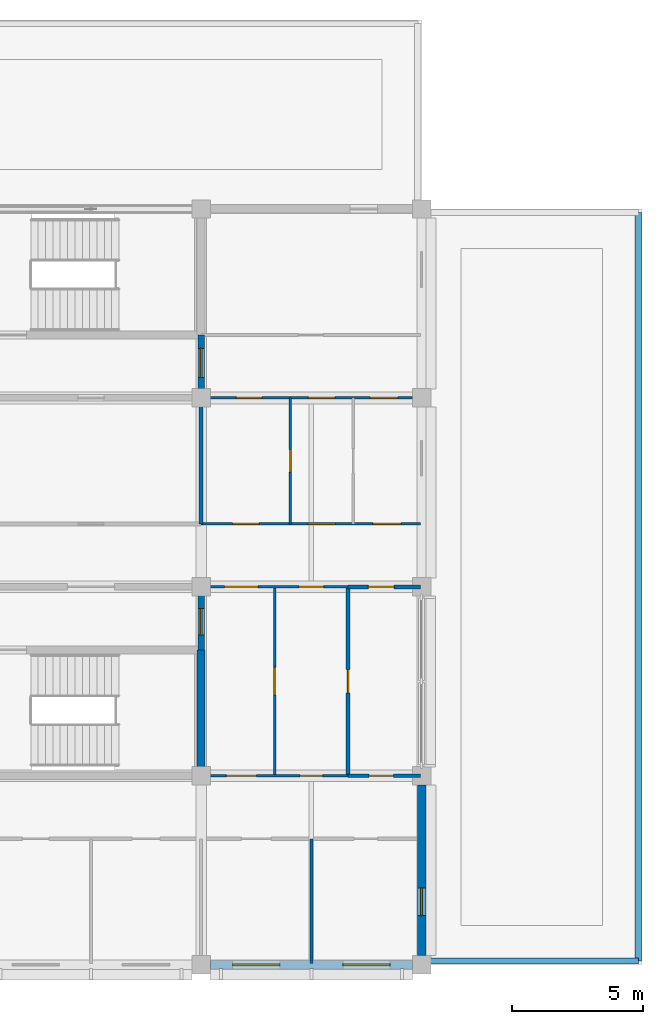
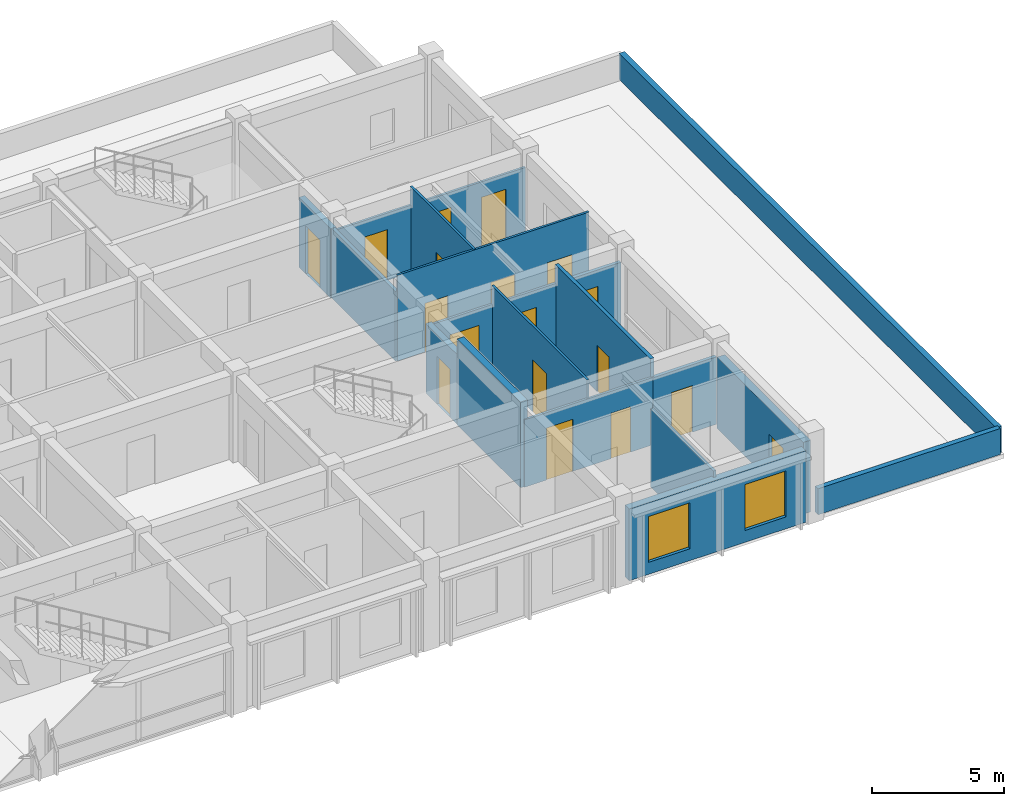
# One storey, part 15 of 19: 18 walls, 17 doors, 3 windows, 20 openings.
"""IFC4 building model written with IfcOpenShell, lengths in metres."""

from ifc_helpers import new_model, si_unit, direction, frame, frame_2d, origin, place, context, subcontext, project, spatial, rectangle, extrude, material, layer, layer_set, type_object, element, fill, save


model = new_model("IFC4")

# Units and contexts
model_context = context("Model", 3, precision=1e-05, world=origin(), true_north=direction((0.0, 1.0)))
body_context = subcontext(model_context, "Body", "Model", "MODEL_VIEW")
ifc_project = project(units=[si_unit("LENGTHUNIT", "METRE"), si_unit("AREAUNIT", "SQUARE_METRE"), si_unit("VOLUMEUNIT", "CUBIC_METRE"), si_unit("PLANEANGLEUNIT", "RADIAN"), si_unit("MASSUNIT", "GRAM", prefix="KILO")], contexts=[model_context])

# Site, building, storey
site_placement = place(None, origin())
site = spatial("IfcSite", under=ifc_project, at=site_placement, CompositionType="ELEMENT")
building_placement = place(site_placement, origin())
building = spatial("IfcBuilding", under=site, at=building_placement, Name="Chengyuan Square Courthouse", CompositionType="ELEMENT")
storey_placement = place(building_placement, frame((0.0, 0.0, 47.699951171875)))
storey = spatial("IfcBuildingStorey", under=building, at=storey_placement, Name="L11", CompositionType="ELEMENT", Elevation=47.699951171875)

# Wall, openings, windows
ifc_material_1 = material(Name="Concrete C40", Category="concrete")
ifc_layer_1 = layer(ifc_material_1, 0.320068359375)
ifc_layer_set_1 = layer_set([ifc_layer_1], Name="Concrete C40")
wall_type_1 = type_object("IfcWallType", Name="WL-EW3", PredefinedType="STANDARD", material=ifc_layer_set_1)
wall_1_placement = place(storey_placement, frame((109.544921875, 79.199951171875, 0.0), z_axis=(0.0, 0.0, 1.0), x_axis=(1.0, 0.0, 0.0)))
wall_1 = element("IfcWall", 1, at=wall_1_placement, inside=storey, type_object=wall_type_1, Name="Exterior Wall WL-L11-E461", PredefinedType="STANDARD", context=body_context, shape_type="SweptSolid", body=[
    extrude(rectangle(XDim=7.7099609375, YDim=0.320068359375, at=frame_2d((3.85498046875, 0.0))), origin(), (0.0, 0.0, 1.0), 3.31005859375),
])
opening_1_placement = place(wall_1_placement, frame((0.85498046875, 0.0, 0.550048828125)))
opening_1 = element("IfcOpeningElement", 2, at=opening_1_placement, cuts=wall_1, Name="Opening WN-192", PredefinedType="OPENING", context=body_context, shape_type="SweptSolid", body=[
    extrude(rectangle(XDim=1.800048828125, YDim=2.1201171875, at=frame_2d((0.89990234375, 1.06005859375))), frame((0.0, 0.172119140625, 0.0), z_axis=(0.0, -1.0, 0.0), x_axis=(1.0, 0.0, 0.0)), (0.0, 0.0, 1.0), 0.343994140625),
])
opening_2_placement = place(wall_1_placement, frame((5.054931640625, 0.0, 0.550048828125)))
opening_2 = element("IfcOpeningElement", 3, at=opening_2_placement, cuts=wall_1, Name="Opening WN-193", PredefinedType="OPENING", context=body_context, shape_type="SweptSolid", body=[
    extrude(rectangle(XDim=1.800048828125, YDim=2.1201171875, at=frame_2d((0.89990234375, 1.06005859375))), frame((0.0, 0.172119140625, 0.0), z_axis=(0.0, -1.0, 0.0), x_axis=(1.0, 0.0, 0.0)), (0.0, 0.0, 1.0), 0.343994140625),
])
ifc_material_2 = material(Name="Thermally Broken Aluminium Triple Low-E Window", Category="aluminium")
window_type_1 = type_object("IfcWindowType", Name="WT-36", PartitioningType="SINGLE_PANEL", PredefinedType="WINDOW", material=ifc_material_2)
window_1_placement = place(opening_1_placement, origin())
window_1 = element("IfcWindow", 4, at=window_1_placement, inside=storey, type_object=window_type_1, Name="Facade Window WN-192", OverallHeight=2.1201171875, OverallWidth=1.800048828125, PartitioningType="SINGLE_PANEL", PredefinedType="WINDOW", context=body_context, shape_type="SweptSolid", body=[
    extrude(rectangle(XDim=1.800048828125, YDim=2.1201171875, at=frame_2d((0.89990234375, 1.06005859375))), frame((0.0, 0.030029296875, 0.0), z_axis=(0.0, -1.0, 0.0), x_axis=(1.0, 0.0, 0.0)), (0.0, 0.0, 1.0), 0.06005859375),
])
fill(opening_1, window_1)
window_2_placement = place(opening_2_placement, origin())
window_2 = element("IfcWindow", 5, at=window_2_placement, inside=storey, type_object=window_type_1, Name="Facade Window WN-193", OverallHeight=2.1201171875, OverallWidth=1.800048828125, PartitioningType="SINGLE_PANEL", PredefinedType="WINDOW", context=body_context, shape_type="SweptSolid", body=[
    extrude(rectangle(XDim=1.800048828125, YDim=2.1201171875, at=frame_2d((0.89990234375, 1.06005859375))), frame((0.0, 0.030029296875, 0.0), z_axis=(0.0, -1.0, 0.0), x_axis=(1.0, 0.0, 0.0)), (0.0, 0.0, 1.0), 0.06005859375),
])
fill(opening_2, window_2)

# Wall, opening, window
wall_2_placement = place(storey_placement, frame((117.60009765625, 79.544921875, 0.0), z_axis=(0.0, 0.0, 1.0), x_axis=(0.0, 1.0, 0.0)))
wall_2 = element("IfcWall", 6, at=wall_2_placement, inside=storey, type_object=wall_type_1, Name="Exterior Wall WL-L11-E462", PredefinedType="STANDARD", context=body_context, shape_type="SweptSolid", body=[
    extrude(rectangle(XDim=6.510009765625, YDim=0.320068359375, at=frame_2d((3.2548828125, 0.0))), origin(), (0.0, 0.0, 1.0), 3.31005859375),
])
opening_3_placement = place(wall_2_placement, frame((1.530029296875, 0.0, 0.550048828125)))
opening_3 = element("IfcOpeningElement", 7, at=opening_3_placement, cuts=wall_2, Name="Opening WN-194", PredefinedType="OPENING", context=body_context, shape_type="SweptSolid", body=[
    extrude(rectangle(XDim=1.050048828125, YDim=1.56005859375, at=frame_2d((0.52490234375, 0.780029296875))), frame((0.0, 0.172119140625, 0.0), z_axis=(0.0, -1.0, 0.0), x_axis=(1.0, 0.0, 0.0)), (0.0, 0.0, 1.0), 0.343994140625),
])
window_type_2 = type_object("IfcWindowType", Name="WT-09", PartitioningType="SINGLE_PANEL", PredefinedType="WINDOW", material=ifc_material_2)
window_3_placement = place(opening_3_placement, origin())
window_3 = element("IfcWindow", 8, at=window_3_placement, inside=storey, type_object=window_type_2, Name="Facade Window WN-194", OverallHeight=1.56005859375, OverallWidth=1.050048828125, PartitioningType="SINGLE_PANEL", PredefinedType="WINDOW", context=body_context, shape_type="SweptSolid", body=[
    extrude(rectangle(XDim=1.050048828125, YDim=1.56005859375, at=frame_2d((0.52490234375, 0.780029296875))), frame((0.0, 0.030029296875, 0.0), z_axis=(0.0, -1.0, 0.0), x_axis=(1.0, 0.0, 0.0)), (0.0, 0.0, 1.0), 0.06005859375),
])
fill(opening_3, window_3)

# Wall, opening, door
ifc_layer_2 = layer(ifc_material_1, 0.25)
ifc_layer_set_2 = layer_set([ifc_layer_2], Name="Concrete C40")
wall_type_2 = type_object("IfcWallType", Name="WL-FW1", PredefinedType="STANDARD", material=ifc_layer_set_2)
wall_3_placement = place(storey_placement, frame((109.199951171875, 91.199951171875, 0.0), z_axis=(0.0, 0.0, 1.0), x_axis=(0.0, 1.0, 0.0)))
wall_3 = element("IfcWall", 9, at=wall_3_placement, inside=storey, type_object=wall_type_2, Name="Interior Wall WL-L11-I3628", PredefinedType="STANDARD", context=body_context, shape_type="SweptSolid", body=[
    extrude(rectangle(XDim=2.400146484375, YDim=0.25, at=frame_2d((1.2001953125, 0.0))), origin(), (0.0, 0.0, 1.0), 3.2099609375),
])
opening_4_placement = place(wall_3_placement, frame((0.56494140625, 0.0, 0.0)))
opening_4 = element("IfcOpeningElement", 10, at=opening_4_placement, cuts=wall_3, Name="Opening DR-2924", PredefinedType="OPENING", context=body_context, shape_type="SweptSolid", body=[
    extrude(rectangle(XDim=1.0, YDim=2.199951171875, at=frame_2d((0.5, 1.10009765625))), frame((0.0, 0.136962890625, 0.0), z_axis=(0.0, -1.0, 0.0), x_axis=(1.0, 0.0, 0.0)), (0.0, 0.0, 1.0), 0.27392578125),
])
ifc_material_3 = material(Name="Steel Q235B Fire Door", Category="steel")
door_type_1 = type_object("IfcDoorType", Name="DT-11", OperationType="NOTDEFINED", PredefinedType="DOOR", material=ifc_material_3)
door_1_placement = place(opening_4_placement, origin())
door_1 = element("IfcDoor", 11, at=door_1_placement, inside=storey, type_object=door_type_1, Name="Interior Door DR-2924", OperationType="SINGLE_SWING_LEFT", OverallHeight=2.199951171875, OverallWidth=1.0, PredefinedType="DOOR", context=body_context, shape_type="SweptSolid", body=[
    extrude(rectangle(XDim=1.0, YDim=2.199951171875, at=frame_2d((0.5, 1.10009765625))), frame((0.0, 0.02490234375, 0.0), z_axis=(0.0, -1.0, 0.0), x_axis=(1.0, 0.0, 0.0)), (0.0, 0.0, 1.0), 0.050048828125),
])
fill(opening_4, door_1)

wall_4_placement = place(storey_placement, frame((109.199951171875, 100.800048828125, 0.0), z_axis=(0.0, 0.0, 1.0), x_axis=(0.0, 1.0, 0.0)))
wall_4 = element("IfcWall", 12, at=wall_4_placement, inside=storey, type_object=wall_type_2, Name="Interior Wall WL-L11-I3630", PredefinedType="STANDARD", context=body_context, shape_type="SweptSolid", body=[
    extrude(rectangle(XDim=2.39990234375, YDim=0.25, at=frame_2d((1.199951171875, 0.0))), origin(), (0.0, 0.0, 1.0), 3.2099609375),
])
opening_5_placement = place(wall_4_placement, frame((0.784912109375, 0.0, 0.0)))
opening_5 = element("IfcOpeningElement", 13, at=opening_5_placement, cuts=wall_4, Name="Opening DR-2917", PredefinedType="OPENING", context=body_context, shape_type="SweptSolid", body=[
    extrude(rectangle(XDim=1.10009765625, YDim=2.199951171875, at=frame_2d((0.550048828125, 1.10009765625))), frame((0.0, 0.136962890625, 0.0), z_axis=(0.0, -1.0, 0.0), x_axis=(1.0, 0.0, 0.0)), (0.0, 0.0, 1.0), 0.27392578125),
])
door_type_2 = type_object("IfcDoorType", Name="DT-10", OperationType="NOTDEFINED", PredefinedType="DOOR", material=ifc_material_3)
door_2_placement = place(opening_5_placement, origin())
door_2 = element("IfcDoor", 14, at=door_2_placement, inside=storey, type_object=door_type_2, Name="Interior Door DR-2917", OperationType="SINGLE_SWING_RIGHT", OverallHeight=2.199951171875, OverallWidth=1.10009765625, PredefinedType="DOOR", context=body_context, shape_type="SweptSolid", body=[
    extrude(rectangle(XDim=1.10009765625, YDim=2.199951171875, at=frame_2d((0.550048828125, 1.10009765625))), frame((0.0, 0.02490234375, 0.0), z_axis=(0.0, -1.0, 0.0), x_axis=(1.0, 0.0, 0.0)), (0.0, 0.0, 1.0), 0.050048828125),
])
fill(opening_5, door_2)

# Walls
ifc_layer_3 = layer(ifc_material_1, 0.219970703125)
ifc_layer_set_3 = layer_set([ifc_layer_3], Name="Concrete C40")
wall_type_3 = type_object("IfcWallType", Name="WL-PR1", PredefinedType="PARAPET", material=ifc_layer_set_3)
wall_5_placement = place(storey_placement, frame((117.89990234375, 79.340087890625, 0.0), z_axis=(0.0, 0.0, 1.0), x_axis=(1.0, 0.0, 0.0)))
element("IfcWall", 15, at=wall_5_placement, inside=storey, type_object=wall_type_3, Name="Roof Parapet Wall PAR-L11-037", PredefinedType="PARAPET", context=body_context, shape_type="SweptSolid", body=[
    extrude(rectangle(XDim=7.960205078125, YDim=0.219970703125, at=frame_2d((3.97998046875, 0.0))), origin(), (0.0, 0.0, 1.0), 1.199951171875),
])
ifc_layer_4 = layer(ifc_material_1, 0.239990234375)
ifc_layer_set_4 = layer_set([ifc_layer_4], Name="Concrete C40")
wall_type_4 = type_object("IfcWallType", Name="WL-PR2", PredefinedType="PARAPET", material=ifc_layer_set_4)
wall_6_placement = place(storey_placement, frame((125.860107421875, 79.340087890625, 0.0), z_axis=(0.0, 0.0, 1.0), x_axis=(0.0, 1.0, 0.0)))
element("IfcWall", 16, at=wall_6_placement, inside=storey, type_object=wall_type_4, Name="Roof Parapet Wall PAR-L11-038", PredefinedType="PARAPET", context=body_context, shape_type="SweptSolid", body=[
    extrude(rectangle(XDim=28.52001953125, YDim=0.239990234375, at=frame_2d((14.260009765625, 0.0))), origin(), (0.0, 0.0, 1.0), 1.199951171875),
])

# Wall, opening, door
ifc_material_4 = material(Name="Deliberation Room Sound-Insulated Partition")
ifc_layer_5 = layer(ifc_material_4, 0.14990234375)
ifc_layer_set_5 = layer_set([ifc_layer_5], Name="Deliberation Room Sound-Insulated Partition")
wall_type_5 = type_object("IfcWallType", Name="WL-PT3", PredefinedType="STANDARD", material=ifc_layer_set_5)
wall_7_placement = place(storey_placement, frame((114.800048828125, 86.39990234375, 0.0), z_axis=(0.0, 0.0, 1.0), x_axis=(1.0, 0.0, 0.0)))
wall_7 = element("IfcWall", 17, at=wall_7_placement, inside=storey, type_object=wall_type_5, Name="Interior Wall WL-L11-I3518", PredefinedType="STANDARD", context=body_context, shape_type="SweptSolid", body=[
    extrude(rectangle(XDim=2.760009765625, YDim=0.14990234375, at=frame_2d((1.3798828125, 0.0))), origin(), (0.0, 0.0, 1.0), 3.110107421875),
])
opening_6_placement = place(wall_7_placement, frame((0.804931640625, 0.0, 0.0)))
opening_6 = element("IfcOpeningElement", 18, at=opening_6_placement, cuts=wall_7, Name="Opening DR-3000", PredefinedType="OPENING", context=body_context, shape_type="SweptSolid", body=[
    extrude(rectangle(XDim=0.919921875, YDim=2.14990234375, at=frame_2d((0.4599609375, 1.074951171875))), frame((0.0, 0.0869140625, 0.0), z_axis=(0.0, -1.0, 0.0), x_axis=(1.0, 0.0, 0.0)), (0.0, 0.0, 1.0), 0.173828125),
])
ifc_material_5 = material(Name="Acoustic Solid-Core Timber Door", Category="wood")
door_type_3 = type_object("IfcDoorType", Name="DT-29", OperationType="NOTDEFINED", PredefinedType="DOOR", material=ifc_material_5)
door_3_placement = place(opening_6_placement, origin())
door_3 = element("IfcDoor", 19, at=door_3_placement, inside=storey, type_object=door_type_3, Name="Interior Door DR-3000", OperationType="SINGLE_SWING_LEFT", OverallHeight=2.14990234375, OverallWidth=0.919921875, PredefinedType="DOOR", context=body_context, shape_type="SweptSolid", body=[
    extrude(rectangle(XDim=0.919921875, YDim=2.14990234375, at=frame_2d((0.4599609375, 1.074951171875))), frame((0.0, 0.02490234375, 0.0), z_axis=(0.0, -1.0, 0.0), x_axis=(1.0, 0.0, 0.0)), (0.0, 0.0, 1.0), 0.050048828125),
])
fill(opening_6, door_3)

wall_8_placement = place(storey_placement, frame((114.800048828125, 93.60009765625, 0.0), z_axis=(0.0, 0.0, 1.0), x_axis=(1.0, 0.0, 0.0)))
wall_8 = element("IfcWall", 20, at=wall_8_placement, inside=storey, type_object=wall_type_5, Name="Interior Wall WL-L11-I3530", PredefinedType="STANDARD", context=body_context, shape_type="SweptSolid", body=[
    extrude(rectangle(XDim=2.760009765625, YDim=0.14990234375, at=frame_2d((1.3798828125, 0.0))), origin(), (0.0, 0.0, 1.0), 3.110107421875),
])
opening_7_placement = place(wall_8_placement, frame((0.77490234375, 0.0, 0.0)))
opening_7 = element("IfcOpeningElement", 21, at=opening_7_placement, cuts=wall_8, Name="Opening DR-2977", PredefinedType="OPENING", context=body_context, shape_type="SweptSolid", body=[
    extrude(rectangle(XDim=0.97998046875, YDim=2.35009765625, at=frame_2d((0.489990234375, 1.175048828125))), frame((0.0, 0.0869140625, 0.0), z_axis=(0.0, -1.0, 0.0), x_axis=(1.0, 0.0, 0.0)), (0.0, 0.0, 1.0), 0.173828125),
])
door_type_4 = type_object("IfcDoorType", Name="DT-40", OperationType="NOTDEFINED", PredefinedType="DOOR", material=ifc_material_5)
door_4_placement = place(opening_7_placement, origin())
door_4 = element("IfcDoor", 22, at=door_4_placement, inside=storey, type_object=door_type_4, Name="Interior Door DR-2977", OperationType="SINGLE_SWING_RIGHT", OverallHeight=2.35009765625, OverallWidth=0.97998046875, PredefinedType="DOOR", context=body_context, shape_type="SweptSolid", body=[
    extrude(rectangle(XDim=0.97998046875, YDim=2.35009765625, at=frame_2d((0.489990234375, 1.175048828125))), frame((0.0, 0.02490234375, 0.0), z_axis=(0.0, -1.0, 0.0), x_axis=(1.0, 0.0, 0.0)), (0.0, 0.0, 1.0), 0.050048828125),
])
fill(opening_7, door_4)

# Wall
wall_9_placement = place(storey_placement, frame((109.199951171875, 96.0, 0.0), z_axis=(0.0, 0.0, 1.0), x_axis=(0.0, 1.0, 0.0)))
element("IfcWall", 23, at=wall_9_placement, inside=storey, type_object=wall_type_5, Name="Interior Wall WL-L11-I3629", PredefinedType="STANDARD", context=body_context, shape_type="SweptSolid", body=[
    extrude(rectangle(XDim=4.800048828125, YDim=0.14990234375, at=frame_2d((2.39990234375, 0.0))), origin(), (0.0, 0.0, 1.0), 3.2099609375),
])

# Wall, opening, door
wall_10_placement = place(storey_placement, frame((114.800048828125, 86.39990234375, 0.0), z_axis=(0.0, 0.0, 1.0), x_axis=(0.0, 1.0, 0.0)))
wall_10 = element("IfcWall", 24, at=wall_10_placement, inside=storey, type_object=wall_type_5, Name="Interior Wall WL-L11-I3635", PredefinedType="STANDARD", context=body_context, shape_type="SweptSolid", body=[
    extrude(rectangle(XDim=7.2001953125, YDim=0.14990234375, at=frame_2d((3.60009765625, 0.0))), origin(), (0.0, 0.0, 1.0), 3.9599609375),
])
opening_8_placement = place(wall_10_placement, frame((3.14990234375, 0.0, 0.0)))
opening_8 = element("IfcOpeningElement", 25, at=opening_8_placement, cuts=wall_10, Name="Opening DR-2998", PredefinedType="OPENING", context=body_context, shape_type="SweptSolid", body=[
    extrude(rectangle(XDim=0.89990234375, YDim=2.14990234375, at=frame_2d((0.449951171875, 1.074951171875))), frame((0.0, 0.0869140625, 0.0), z_axis=(0.0, -1.0, 0.0), x_axis=(1.0, 0.0, 0.0)), (0.0, 0.0, 1.0), 0.173828125),
])
door_type_5 = type_object("IfcDoorType", Name="DT-27", OperationType="NOTDEFINED", PredefinedType="DOOR", material=ifc_material_5)
door_5_placement = place(opening_8_placement, origin())
door_5 = element("IfcDoor", 26, at=door_5_placement, inside=storey, type_object=door_type_5, Name="Interior Door DR-2998", OperationType="SINGLE_SWING_LEFT", OverallHeight=2.14990234375, OverallWidth=0.89990234375, PredefinedType="DOOR", context=body_context, shape_type="SweptSolid", body=[
    extrude(rectangle(XDim=0.89990234375, YDim=2.14990234375, at=frame_2d((0.449951171875, 1.074951171875))), frame((0.0, 0.02490234375, 0.0), z_axis=(0.0, -1.0, 0.0), x_axis=(1.0, 0.0, 0.0)), (0.0, 0.0, 1.0), 0.050048828125),
])
fill(opening_8, door_5)

# Wall
ifc_material_6 = material(Name="Judges Chambers Gypsum Stud Partition")
ifc_layer_6 = layer(ifc_material_6, 0.1201171875)
ifc_layer_set_6 = layer_set([ifc_layer_6], Name="Judges Chambers Gypsum Stud Partition")
wall_type_6 = type_object("IfcWallType", Name="WL-PT5", PredefinedType="STANDARD", material=ifc_layer_set_6)
wall_11_placement = place(storey_placement, frame((113.39990234375, 79.239990234375, 0.0), z_axis=(0.0, 0.0, 1.0), x_axis=(0.0, 1.0, 0.0)))
element("IfcWall", 27, at=wall_11_placement, inside=storey, type_object=wall_type_6, Name="Interior Wall WL-L11-I3634", PredefinedType="STANDARD", context=body_context, shape_type="SweptSolid", body=[
    extrude(rectangle(XDim=4.760009765625, YDim=0.1201171875, at=frame_2d((2.3798828125, 0.0))), origin(), (0.0, 0.0, 1.0), 3.610107421875),
])

# Wall, openings, doors
ifc_material_7 = material(Name="Gypsum Plasterboard Acoustic Stud Partition")
ifc_layer_7 = layer(ifc_material_7, 0.10009765625)
ifc_layer_set_7 = layer_set([ifc_layer_7], Name="Gypsum Plasterboard Acoustic Stud Partition")
wall_type_7 = type_object("IfcWallType", Name="WL-PT6", PredefinedType="STANDARD", material=ifc_layer_set_7)
wall_12_placement = place(storey_placement, frame((109.199951171875, 86.39990234375, 0.0), z_axis=(0.0, 0.0, 1.0), x_axis=(1.0, 0.0, 0.0)))
wall_12 = element("IfcWall", 28, at=wall_12_placement, inside=storey, type_object=wall_type_7, Name="Interior Wall WL-L11-I3517", PredefinedType="STANDARD", context=body_context, shape_type="SweptSolid", body=[
    extrude(rectangle(XDim=5.60009765625, YDim=0.10009765625, at=frame_2d((2.800048828125, 0.0))), origin(), (0.0, 0.0, 1.0), 3.110107421875),
])
opening_9_placement = place(wall_12_placement, frame((0.965087890625, 0.0, 0.0)))
opening_9 = element("IfcOpeningElement", 29, at=opening_9_placement, cuts=wall_12, Name="Opening DR-2997", PredefinedType="OPENING", context=body_context, shape_type="SweptSolid", body=[
    extrude(rectangle(XDim=1.139892578125, YDim=2.39990234375, at=frame_2d((0.56982421875, 1.199951171875))), frame((0.0, 0.06201171875, 0.0), z_axis=(0.0, -1.0, 0.0), x_axis=(1.0, 0.0, 0.0)), (0.0, 0.0, 1.0), 0.1240234375),
])
opening_10_placement = place(wall_12_placement, frame((3.77001953125, 0.0, 0.0)))
opening_10 = element("IfcOpeningElement", 30, at=opening_10_placement, cuts=wall_12, Name="Opening DR-2999", PredefinedType="OPENING", context=body_context, shape_type="SweptSolid", body=[
    extrude(rectangle(XDim=0.860107421875, YDim=2.10009765625, at=frame_2d((0.43017578125, 1.050048828125))), frame((0.0, 0.06201171875, 0.0), z_axis=(0.0, -1.0, 0.0), x_axis=(1.0, 0.0, 0.0)), (0.0, 0.0, 1.0), 0.1240234375),
])
door_type_6 = type_object("IfcDoorType", Name="DT-28", OperationType="NOTDEFINED", PredefinedType="DOOR", material=ifc_material_5)
door_6_placement = place(opening_10_placement, origin())
door_6 = element("IfcDoor", 31, at=door_6_placement, inside=storey, type_object=door_type_6, Name="Interior Door DR-2999", OperationType="SINGLE_SWING_RIGHT", OverallHeight=2.10009765625, OverallWidth=0.860107421875, PredefinedType="DOOR", context=body_context, shape_type="SweptSolid", body=[
    extrude(rectangle(XDim=0.860107421875, YDim=2.10009765625, at=frame_2d((0.43017578125, 1.050048828125))), frame((0.0, 0.02490234375, 0.0), z_axis=(0.0, -1.0, 0.0), x_axis=(1.0, 0.0, 0.0)), (0.0, 0.0, 1.0), 0.050048828125),
])
fill(opening_10, door_6)
door_type_7 = type_object("IfcDoorType", Name="DT-43", OperationType="NOTDEFINED", PredefinedType="DOOR", material=ifc_material_5)
door_7_placement = place(opening_9_placement, origin())
door_7 = element("IfcDoor", 32, at=door_7_placement, inside=storey, type_object=door_type_7, Name="Interior Door DR-2997", OperationType="SINGLE_SWING_RIGHT", OverallHeight=2.39990234375, OverallWidth=1.139892578125, PredefinedType="DOOR", context=body_context, shape_type="SweptSolid", body=[
    extrude(rectangle(XDim=1.139892578125, YDim=2.39990234375, at=frame_2d((0.56982421875, 1.199951171875))), frame((0.0, 0.02490234375, 0.0), z_axis=(0.0, -1.0, 0.0), x_axis=(1.0, 0.0, 0.0)), (0.0, 0.0, 1.0), 0.050048828125),
])
fill(opening_9, door_7)

wall_13_placement = place(storey_placement, frame((109.199951171875, 93.60009765625, 0.0), z_axis=(0.0, 0.0, 1.0), x_axis=(1.0, 0.0, 0.0)))
wall_13 = element("IfcWall", 33, at=wall_13_placement, inside=storey, type_object=wall_type_7, Name="Interior Wall WL-L11-I3529", PredefinedType="STANDARD", context=body_context, shape_type="SweptSolid", body=[
    extrude(rectangle(XDim=5.60009765625, YDim=0.10009765625, at=frame_2d((2.800048828125, 0.0))), origin(), (0.0, 0.0, 1.0), 3.110107421875),
])
opening_11_placement = place(wall_13_placement, frame((0.89501953125, 0.0, 0.0)))
opening_11 = element("IfcOpeningElement", 34, at=opening_11_placement, cuts=wall_13, Name="Opening DR-2975", PredefinedType="OPENING", context=body_context, shape_type="SweptSolid", body=[
    extrude(rectangle(XDim=1.280029296875, YDim=2.35009765625, at=frame_2d((0.64013671875, 1.175048828125))), frame((0.0, 0.06201171875, 0.0), z_axis=(0.0, -1.0, 0.0), x_axis=(1.0, 0.0, 0.0)), (0.0, 0.0, 1.0), 0.1240234375),
])
opening_12_placement = place(wall_13_placement, frame((3.72998046875, 0.0, 0.0)))
opening_12 = element("IfcOpeningElement", 35, at=opening_12_placement, cuts=wall_13, Name="Opening DR-2976", PredefinedType="OPENING", context=body_context, shape_type="SweptSolid", body=[
    extrude(rectangle(XDim=0.93994140625, YDim=2.300048828125, at=frame_2d((0.469970703125, 1.14990234375))), frame((0.0, 0.06201171875, 0.0), z_axis=(0.0, -1.0, 0.0), x_axis=(1.0, 0.0, 0.0)), (0.0, 0.0, 1.0), 0.1240234375),
])
door_type_8 = type_object("IfcDoorType", Name="DT-38", OperationType="NOTDEFINED", PredefinedType="DOOR", material=ifc_material_5)
door_8_placement = place(opening_11_placement, origin())
door_8 = element("IfcDoor", 36, at=door_8_placement, inside=storey, type_object=door_type_8, Name="Interior Door DR-2975", OperationType="SINGLE_SWING_RIGHT", OverallHeight=2.35009765625, OverallWidth=1.280029296875, PredefinedType="DOOR", context=body_context, shape_type="SweptSolid", body=[
    extrude(rectangle(XDim=1.280029296875, YDim=2.35009765625, at=frame_2d((0.64013671875, 1.175048828125))), frame((0.0, 0.02490234375, 0.0), z_axis=(0.0, -1.0, 0.0), x_axis=(1.0, 0.0, 0.0)), (0.0, 0.0, 1.0), 0.050048828125),
])
fill(opening_11, door_8)
door_type_9 = type_object("IfcDoorType", Name="DT-39", OperationType="NOTDEFINED", PredefinedType="DOOR", material=ifc_material_5)
door_9_placement = place(opening_12_placement, origin())
door_9 = element("IfcDoor", 37, at=door_9_placement, inside=storey, type_object=door_type_9, Name="Interior Door DR-2976", OperationType="SINGLE_SWING_LEFT", OverallHeight=2.300048828125, OverallWidth=0.93994140625, PredefinedType="DOOR", context=body_context, shape_type="SweptSolid", body=[
    extrude(rectangle(XDim=0.93994140625, YDim=2.300048828125, at=frame_2d((0.469970703125, 1.14990234375))), frame((0.0, 0.02490234375, 0.0), z_axis=(0.0, -1.0, 0.0), x_axis=(1.0, 0.0, 0.0)), (0.0, 0.0, 1.0), 0.050048828125),
])
fill(opening_12, door_9)

wall_14_placement = place(storey_placement, frame((109.199951171875, 96.0, 0.0), z_axis=(0.0, 0.0, 1.0), x_axis=(1.0, 0.0, 0.0)))
wall_14 = element("IfcWall", 38, at=wall_14_placement, inside=storey, type_object=wall_type_7, Name="Interior Wall WL-L11-I3535", PredefinedType="STANDARD", context=body_context, shape_type="SweptSolid", body=[
    extrude(rectangle(XDim=8.360107421875, YDim=0.10009765625, at=frame_2d((4.18017578125, 0.0))), origin(), (0.0, 0.0, 1.0), 3.9599609375),
])
opening_13_placement = place(wall_14_placement, frame((1.199951171875, 0.0, 0.0)))
opening_13 = element("IfcOpeningElement", 39, at=opening_13_placement, cuts=wall_14, Name="Opening DR-2968", PredefinedType="OPENING", context=body_context, shape_type="SweptSolid", body=[
    extrude(rectangle(XDim=1.0, YDim=2.25, at=frame_2d((0.5, 1.125))), frame((0.0, 0.06201171875, 0.0), z_axis=(0.0, -1.0, 0.0), x_axis=(1.0, 0.0, 0.0)), (0.0, 0.0, 1.0), 0.1240234375),
])
opening_14_placement = place(wall_14_placement, frame((4.080078125, 0.0, 0.0)))
opening_14 = element("IfcOpeningElement", 40, at=opening_14_placement, cuts=wall_14, Name="Opening DR-2969", PredefinedType="OPENING", context=body_context, shape_type="SweptSolid", body=[
    extrude(rectangle(XDim=1.0400390625, YDim=2.199951171875, at=frame_2d((0.52001953125, 1.10009765625))), frame((0.0, 0.06201171875, 0.0), z_axis=(0.0, -1.0, 0.0), x_axis=(1.0, 0.0, 0.0)), (0.0, 0.0, 1.0), 0.1240234375),
])
opening_15_placement = place(wall_14_placement, frame((6.5400390625, 0.0, 0.0)))
opening_15 = element("IfcOpeningElement", 41, at=opening_15_placement, cuts=wall_14, Name="Opening DR-2970", PredefinedType="OPENING", context=body_context, shape_type="SweptSolid", body=[
    extrude(rectangle(XDim=1.080078125, YDim=2.25, at=frame_2d((0.5400390625, 1.125))), frame((0.0, 0.06201171875, 0.0), z_axis=(0.0, -1.0, 0.0), x_axis=(1.0, 0.0, 0.0)), (0.0, 0.0, 1.0), 0.1240234375),
])
door_type_10 = type_object("IfcDoorType", Name="DT-31", OperationType="NOTDEFINED", PredefinedType="DOOR", material=ifc_material_5)
door_10_placement = place(opening_13_placement, origin())
door_10 = element("IfcDoor", 42, at=door_10_placement, inside=storey, type_object=door_type_10, Name="Interior Door DR-2968", OperationType="SINGLE_SWING_LEFT", OverallHeight=2.25, OverallWidth=1.0, PredefinedType="DOOR", context=body_context, shape_type="SweptSolid", body=[
    extrude(rectangle(XDim=1.0, YDim=2.25, at=frame_2d((0.5, 1.125))), frame((0.0, 0.02490234375, 0.0), z_axis=(0.0, -1.0, 0.0), x_axis=(1.0, 0.0, 0.0)), (0.0, 0.0, 1.0), 0.050048828125),
])
fill(opening_13, door_10)
door_type_11 = type_object("IfcDoorType", Name="DT-32", OperationType="NOTDEFINED", PredefinedType="DOOR", material=ifc_material_5)
door_11_placement = place(opening_14_placement, origin())
door_11 = element("IfcDoor", 43, at=door_11_placement, inside=storey, type_object=door_type_11, Name="Interior Door DR-2969", OperationType="SINGLE_SWING_RIGHT", OverallHeight=2.199951171875, OverallWidth=1.0400390625, PredefinedType="DOOR", context=body_context, shape_type="SweptSolid", body=[
    extrude(rectangle(XDim=1.0400390625, YDim=2.199951171875, at=frame_2d((0.52001953125, 1.10009765625))), frame((0.0, 0.02490234375, 0.0), z_axis=(0.0, -1.0, 0.0), x_axis=(1.0, 0.0, 0.0)), (0.0, 0.0, 1.0), 0.050048828125),
])
fill(opening_14, door_11)
door_type_12 = type_object("IfcDoorType", Name="DT-33", OperationType="NOTDEFINED", PredefinedType="DOOR", material=ifc_material_5)
door_12_placement = place(opening_15_placement, origin())
door_12 = element("IfcDoor", 44, at=door_12_placement, inside=storey, type_object=door_type_12, Name="Interior Door DR-2970", OperationType="SINGLE_SWING_LEFT", OverallHeight=2.25, OverallWidth=1.080078125, PredefinedType="DOOR", context=body_context, shape_type="SweptSolid", body=[
    extrude(rectangle(XDim=1.080078125, YDim=2.25, at=frame_2d((0.5400390625, 1.125))), frame((0.0, 0.02490234375, 0.0), z_axis=(0.0, -1.0, 0.0), x_axis=(1.0, 0.0, 0.0)), (0.0, 0.0, 1.0), 0.050048828125),
])
fill(opening_15, door_12)

wall_15_placement = place(storey_placement, frame((109.199951171875, 100.800048828125, 0.0), z_axis=(0.0, 0.0, 1.0), x_axis=(1.0, 0.0, 0.0)))
wall_15 = element("IfcWall", 45, at=wall_15_placement, inside=storey, type_object=wall_type_7, Name="Interior Wall WL-L11-I3542", PredefinedType="STANDARD", context=body_context, shape_type="SweptSolid", body=[
    extrude(rectangle(XDim=8.360107421875, YDim=0.10009765625, at=frame_2d((4.18017578125, 0.0))), origin(), (0.0, 0.0, 1.0), 3.110107421875),
])
opening_16_placement = place(wall_15_placement, frame((1.344970703125, 0.0, 0.0)))
opening_16 = element("IfcOpeningElement", 46, at=opening_16_placement, cuts=wall_15, Name="Opening DR-2943", PredefinedType="OPENING", context=body_context, shape_type="SweptSolid", body=[
    extrude(rectangle(XDim=0.97998046875, YDim=2.35009765625, at=frame_2d((0.489990234375, 1.175048828125))), frame((0.0, 0.06201171875, 0.0), z_axis=(0.0, -1.0, 0.0), x_axis=(1.0, 0.0, 0.0)), (0.0, 0.0, 1.0), 0.1240234375),
])
opening_17_placement = place(wall_15_placement, frame((4.090087890625, 0.0, 0.0)))
opening_17 = element("IfcOpeningElement", 47, at=opening_17_placement, cuts=wall_15, Name="Opening DR-2944", PredefinedType="OPENING", context=body_context, shape_type="SweptSolid", body=[
    extrude(rectangle(XDim=1.02001953125, YDim=2.39990234375, at=frame_2d((0.510009765625, 1.199951171875))), frame((0.0, 0.06201171875, 0.0), z_axis=(0.0, -1.0, 0.0), x_axis=(1.0, 0.0, 0.0)), (0.0, 0.0, 1.0), 0.1240234375),
])
opening_18_placement = place(wall_15_placement, frame((6.43505859375, 0.0, 0.0)))
opening_18 = element("IfcOpeningElement", 48, at=opening_18_placement, cuts=wall_15, Name="Opening DR-2945", PredefinedType="OPENING", context=body_context, shape_type="SweptSolid", body=[
    extrude(rectangle(XDim=1.06005859375, YDim=2.39990234375, at=frame_2d((0.530029296875, 1.199951171875))), frame((0.0, 0.06201171875, 0.0), z_axis=(0.0, -1.0, 0.0), x_axis=(1.0, 0.0, 0.0)), (0.0, 0.0, 1.0), 0.1240234375),
])
door_13_placement = place(opening_16_placement, origin())
door_13 = element("IfcDoor", 49, at=door_13_placement, inside=storey, type_object=door_type_4, Name="Interior Door DR-2943", OperationType="SINGLE_SWING_LEFT", OverallHeight=2.35009765625, OverallWidth=0.97998046875, PredefinedType="DOOR", context=body_context, shape_type="SweptSolid", body=[
    extrude(rectangle(XDim=0.97998046875, YDim=2.35009765625, at=frame_2d((0.489990234375, 1.175048828125))), frame((0.0, 0.02490234375, 0.0), z_axis=(0.0, -1.0, 0.0), x_axis=(1.0, 0.0, 0.0)), (0.0, 0.0, 1.0), 0.050048828125),
])
fill(opening_16, door_13)
door_type_13 = type_object("IfcDoorType", Name="DT-41", OperationType="NOTDEFINED", PredefinedType="DOOR", material=ifc_material_5)
door_14_placement = place(opening_17_placement, origin())
door_14 = element("IfcDoor", 50, at=door_14_placement, inside=storey, type_object=door_type_13, Name="Interior Door DR-2944", OperationType="SINGLE_SWING_RIGHT", OverallHeight=2.39990234375, OverallWidth=1.02001953125, PredefinedType="DOOR", context=body_context, shape_type="SweptSolid", body=[
    extrude(rectangle(XDim=1.02001953125, YDim=2.39990234375, at=frame_2d((0.510009765625, 1.199951171875))), frame((0.0, 0.02490234375, 0.0), z_axis=(0.0, -1.0, 0.0), x_axis=(1.0, 0.0, 0.0)), (0.0, 0.0, 1.0), 0.050048828125),
])
fill(opening_17, door_14)
door_type_14 = type_object("IfcDoorType", Name="DT-42", OperationType="NOTDEFINED", PredefinedType="DOOR", material=ifc_material_5)
door_15_placement = place(opening_18_placement, origin())
door_15 = element("IfcDoor", 51, at=door_15_placement, inside=storey, type_object=door_type_14, Name="Interior Door DR-2945", OperationType="SINGLE_SWING_LEFT", OverallHeight=2.39990234375, OverallWidth=1.06005859375, PredefinedType="DOOR", context=body_context, shape_type="SweptSolid", body=[
    extrude(rectangle(XDim=1.06005859375, YDim=2.39990234375, at=frame_2d((0.530029296875, 1.199951171875))), frame((0.0, 0.02490234375, 0.0), z_axis=(0.0, -1.0, 0.0), x_axis=(1.0, 0.0, 0.0)), (0.0, 0.0, 1.0), 0.050048828125),
])
fill(opening_18, door_15)

# Wall, opening, door
wall_16_placement = place(storey_placement, frame((112.0, 86.39990234375, 0.0), z_axis=(0.0, 0.0, 1.0), x_axis=(0.0, 1.0, 0.0)))
wall_16 = element("IfcWall", 52, at=wall_16_placement, inside=storey, type_object=wall_type_7, Name="Interior Wall WL-L11-I3632", PredefinedType="STANDARD", context=body_context, shape_type="SweptSolid", body=[
    extrude(rectangle(XDim=7.2001953125, YDim=0.10009765625, at=frame_2d((3.60009765625, 0.0))), origin(), (0.0, 0.0, 1.0), 3.9599609375),
])
opening_19_placement = place(wall_16_placement, frame((3.070068359375, 0.0, 0.0)))
opening_19 = element("IfcOpeningElement", 53, at=opening_19_placement, cuts=wall_16, Name="Opening DR-2996", PredefinedType="OPENING", context=body_context, shape_type="SweptSolid", body=[
    extrude(rectangle(XDim=1.06005859375, YDim=2.39990234375, at=frame_2d((0.530029296875, 1.199951171875))), frame((0.0, 0.06201171875, 0.0), z_axis=(0.0, -1.0, 0.0), x_axis=(1.0, 0.0, 0.0)), (0.0, 0.0, 1.0), 0.1240234375),
])
door_16_placement = place(opening_19_placement, origin())
door_16 = element("IfcDoor", 54, at=door_16_placement, inside=storey, type_object=door_type_14, Name="Interior Door DR-2996", OperationType="SINGLE_SWING_LEFT", OverallHeight=2.39990234375, OverallWidth=1.06005859375, PredefinedType="DOOR", context=body_context, shape_type="SweptSolid", body=[
    extrude(rectangle(XDim=1.06005859375, YDim=2.39990234375, at=frame_2d((0.530029296875, 1.199951171875))), frame((0.0, 0.02490234375, 0.0), z_axis=(0.0, -1.0, 0.0), x_axis=(1.0, 0.0, 0.0)), (0.0, 0.0, 1.0), 0.050048828125),
])
fill(opening_19, door_16)

wall_17_placement = place(storey_placement, frame((112.60009765625, 96.0, 0.0), z_axis=(0.0, 0.0, 1.0), x_axis=(0.0, 1.0, 0.0)))
wall_17 = element("IfcWall", 55, at=wall_17_placement, inside=storey, type_object=wall_type_7, Name="Interior Wall WL-L11-I3633", PredefinedType="STANDARD", context=body_context, shape_type="SweptSolid", body=[
    extrude(rectangle(XDim=4.800048828125, YDim=0.10009765625, at=frame_2d((2.39990234375, 0.0))), origin(), (0.0, 0.0, 1.0), 3.9599609375),
])
opening_20_placement = place(wall_17_placement, frame((1.969970703125, 0.0, 0.0)))
opening_20 = element("IfcOpeningElement", 56, at=opening_20_placement, cuts=wall_17, Name="Opening DR-2982", PredefinedType="OPENING", context=body_context, shape_type="SweptSolid", body=[
    extrude(rectangle(XDim=0.860107421875, YDim=2.10009765625, at=frame_2d((0.43017578125, 1.050048828125))), frame((0.0, 0.06201171875, 0.0), z_axis=(0.0, -1.0, 0.0), x_axis=(1.0, 0.0, 0.0)), (0.0, 0.0, 1.0), 0.1240234375),
])
door_17_placement = place(opening_20_placement, origin())
door_17 = element("IfcDoor", 57, at=door_17_placement, inside=storey, type_object=door_type_6, Name="Interior Door DR-2982", OperationType="SINGLE_SWING_LEFT", OverallHeight=2.10009765625, OverallWidth=0.860107421875, PredefinedType="DOOR", context=body_context, shape_type="SweptSolid", body=[
    extrude(rectangle(XDim=0.860107421875, YDim=2.10009765625, at=frame_2d((0.43017578125, 1.050048828125))), frame((0.0, 0.02490234375, 0.0), z_axis=(0.0, -1.0, 0.0), x_axis=(1.0, 0.0, 0.0)), (0.0, 0.0, 1.0), 0.050048828125),
])
fill(opening_20, door_17)

# Wall
ifc_layer_8 = layer(ifc_material_1, 0.300048828125)
ifc_layer_set_8 = layer_set([ifc_layer_8], Name="Concrete C40")
wall_type_8 = type_object("IfcWallType", Name="WL-SW2", PredefinedType="SHEAR", material=ifc_layer_set_8)
wall_18_placement = place(storey_placement, frame((109.199951171875, 86.39990234375, 0.0), z_axis=(0.0, 0.0, 1.0), x_axis=(0.0, 1.0, 0.0)))
element("IfcWall", 58, at=wall_18_placement, inside=storey, type_object=wall_type_8, Name="Interior Wall WL-L11-I3627", PredefinedType="SHEAR", context=body_context, shape_type="SweptSolid", body=[
    extrude(rectangle(XDim=4.800048828125, YDim=0.300048828125, at=frame_2d((2.39990234375, 0.0))), origin(), (0.0, 0.0, 1.0), 3.9599609375),
])

save(model, "model.ifc")
